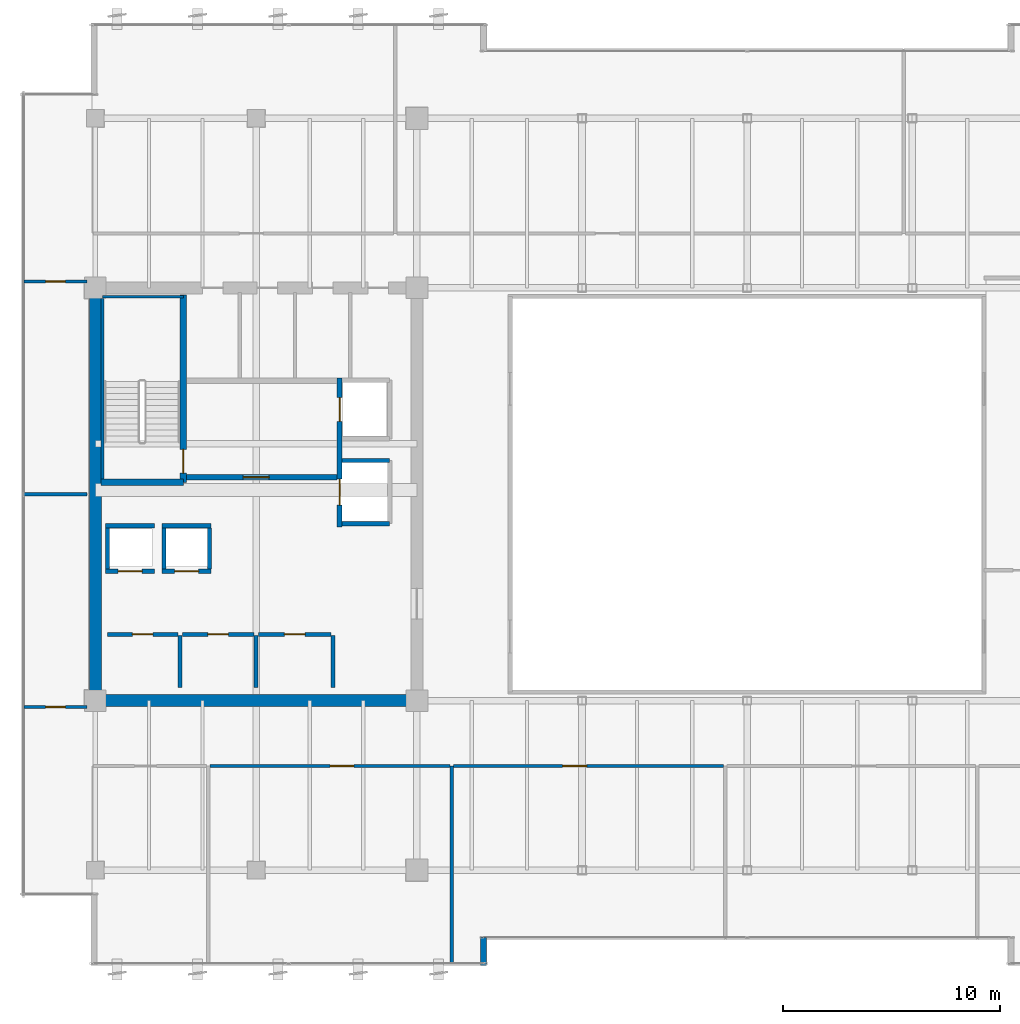
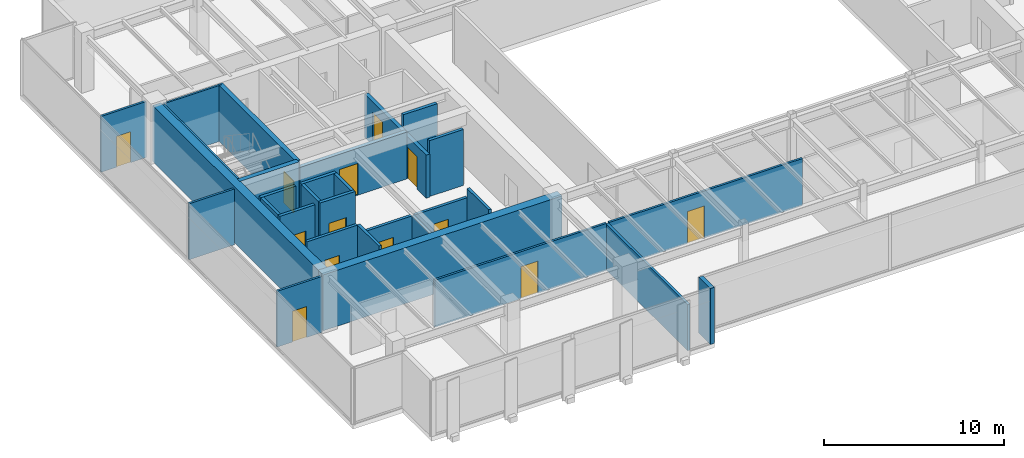
# One storey, part 28 of 36: 30 walls, 13 doors, 13 openings.
"""IFC4 building model written with IfcOpenShell, lengths in metres."""

from ifc_helpers import new_model, si_unit, direction, frame, frame_2d, origin, place, context, subcontext, project, spatial, rectangle, extrude, source, transform, mapped, material, layer, layer_set, type_object, type_shapes, element, fill, save


model = new_model("IFC4")

# Units and contexts
model_context = context("Model", 3, precision=1e-05, world=origin(), true_north=direction((0.0, 1.0)))
body_context = subcontext(model_context, "Body", "Model", "MODEL_VIEW")
ifc_project = project(units=[si_unit("LENGTHUNIT", "METRE"), si_unit("AREAUNIT", "SQUARE_METRE"), si_unit("VOLUMEUNIT", "CUBIC_METRE"), si_unit("PLANEANGLEUNIT", "RADIAN"), si_unit("MASSUNIT", "GRAM", prefix="KILO")], contexts=[model_context])

# Site, building, storey
site_placement = place(None, origin())
site = spatial("IfcSite", under=ifc_project, at=site_placement, CompositionType="ELEMENT")
building_placement = place(site_placement, origin())
building = spatial("IfcBuilding", under=site, at=building_placement, Name="Haelvirn Gate Laboratories", CompositionType="ELEMENT")
storey_placement = place(building_placement, frame((0.0, 0.0, 242.39990234375)))
storey = spatial("IfcBuildingStorey", under=building, at=storey_placement, Name="L58", CompositionType="ELEMENT", Elevation=242.39990234375)

# Walls
ifc_material_1 = material(Name="Thermally-broken bronze aluminium rainscreen & mineral wool", Category="aluminium")
ifc_layer_1 = layer(ifc_material_1, 0.280029296875, Name="EW-TERR-280")
ifc_layer_set_1 = layer_set([ifc_layer_1], Name="Thermally-broken bronze aluminium rainscreen & mineral wool")
wall_type_1 = type_object("IfcWallType", Name="EW-TERR-280", PredefinedType="STANDARD", material=ifc_layer_set_1)
wall_1_placement = place(storey_placement, frame((25.260009765625, 2.60009765625, 0.0), z_axis=(0.0, 0.0, 1.0), x_axis=(0.0, 1.0, 0.0)))
element("IfcWall", 1, at=wall_1_placement, inside=storey, type_object=wall_type_1, Name="L58 Atrium Recess Bronze Return Wall 01", PredefinedType="STANDARD", context=body_context, shape_type="SweptSolid", body=[
    extrude(rectangle(XDim=1.29296875, YDim=0.280029296875, at=frame_2d((0.646484375, 0.0))), origin(), (0.0, 0.0, 1.0), 3.800048828125),
])
ifc_material_2 = material(Name="Double-layer acoustic gypsum laboratory partition", Category="gypsum")
ifc_layer_2 = layer(ifc_material_2, 0.159912109375, Name="IW-ACOUST-160")
ifc_layer_set_2 = layer_set([ifc_layer_2], Name="Double-layer acoustic gypsum laboratory partition")
wall_type_2 = type_object("IfcWallType", Name="IW-ACOUST-160", PredefinedType="PARTITIONING", material=ifc_layer_set_2)
wall_2_placement = place(storey_placement, frame((23.800048828125, 2.7099609375, 0.0), z_axis=(0.0, 0.0, 1.0), x_axis=(0.0, 1.0, 0.0)))
element("IfcWall", 2, at=wall_2_placement, inside=storey, type_object=wall_type_2, Name="L58 Interior Wall IW-L58-SDIV-02", PredefinedType="PARTITIONING", context=body_context, shape_type="SweptSolid", body=[
    extrude(rectangle(XDim=9.080078125, YDim=0.159912109375, at=frame_2d((4.5400390625, 0.0))), origin(), (0.0, 0.0, 1.0), 3.135009765625),
])

# Wall, opening, door
ifc_material_3 = material(Name="Acoustic mineral-wool gypsum board partition", Category="gypsum")
ifc_layer_3 = layer(ifc_material_3, 0.139892578125, Name="IW-PART-140")
ifc_layer_set_3 = layer_set([ifc_layer_3], Name="Acoustic mineral-wool gypsum board partition")
wall_type_3 = type_object("IfcWallType", Name="IW-PART-140", PredefinedType="PARTITIONING", material=ifc_layer_set_3)
wall_3_placement = place(storey_placement, frame((12.679931640625, 11.7900390625, 0.0), z_axis=(0.0, 0.0, 1.0), x_axis=(1.0, 0.0, 0.0)))
wall_3 = element("IfcWall", 3, at=wall_3_placement, inside=storey, type_object=wall_type_3, Name="L58 Interior Wall IW-L58-SCORR-02", PredefinedType="PARTITIONING", context=body_context, shape_type="SweptSolid", body=[
    extrude(rectangle(XDim=11.0400390625, YDim=0.139892578125, at=frame_2d((5.52001953125, 0.0))), origin(), (0.0, 0.0, 1.0), 3.197021484375),
])
opening_1_placement = place(wall_3_placement, frame((5.5244140625, 0.0, 0.0)))
opening_1 = element("IfcOpeningElement", 4, at=opening_1_placement, cuts=wall_3, Name="Opening D1", PredefinedType="OPENING", context=body_context, shape_type="SweptSolid", body=[
    extrude(rectangle(XDim=1.10009765625, YDim=2.179931640625, at=frame_2d((0.550048828125, 1.08984375))), frame((0.0, 0.080078125, 0.0), z_axis=(0.0, -1.0, 0.0), x_axis=(1.0, 0.0, 0.0)), (0.0, 0.0, 1.0), 0.159912109375),
])
ifc_material_4 = material(Name="Vision-panel acoustic solid-core timber lab door", Category="wood")
door_type_1 = type_object("IfcDoorType", Name="DR-LAB-1100", OperationType="NOTDEFINED", PredefinedType="DOOR", material=ifc_material_4)
shared_shape_1 = source(origin(), body_context, "Body", "SweptSolid", [
    extrude(rectangle(XDim=1.10009765625, YDim=2.179931640625, at=frame_2d((0.550048828125, 1.08984375))), frame((0.0, 0.02490234375, 0.0), z_axis=(0.0, -1.0, 0.0), x_axis=(1.0, 0.0, 0.0)), (0.0, 0.0, 1.0), 0.050048828125),
])
type_shapes(door_type_1, [shared_shape_1])
door_1_placement = place(opening_1_placement, origin())
door_1 = element("IfcDoor", 5, at=door_1_placement, inside=storey, type_object=door_type_1, Name="L58 Translational Data Office Door S2", OperationType="SINGLE_SWING_RIGHT", OverallHeight=2.179931640625, OverallWidth=1.10009765625, PredefinedType="DOOR", context=body_context, shape_type="MappedRepresentation", body=[
    mapped(shared_shape_1, transform((0.0, 0.0, 0.0), scale=1.0)),
])
fill(opening_1, door_1)

wall_4_placement = place(storey_placement, frame((23.8798828125, 11.7900390625, 0.0), z_axis=(0.0, 0.0, 1.0), x_axis=(1.0, 0.0, 0.0)))
wall_4 = element("IfcWall", 6, at=wall_4_placement, inside=storey, type_object=wall_type_3, Name="L58 Interior Wall IW-L58-SCORR-03", PredefinedType="PARTITIONING", context=body_context, shape_type="SweptSolid", body=[
    extrude(rectangle(XDim=12.440185546875, YDim=0.139892578125, at=frame_2d((6.22021484375, 0.0))), origin(), (0.0, 0.0, 1.0), 3.197021484375),
])
opening_2_placement = place(wall_4_placement, frame((5.031494140625, 0.0, 0.0)))
opening_2 = element("IfcOpeningElement", 7, at=opening_2_placement, cuts=wall_4, Name="Opening D1", PredefinedType="OPENING", context=body_context, shape_type="SweptSolid", body=[
    extrude(rectangle(XDim=1.10009765625, YDim=2.179931640625, at=frame_2d((0.550048828125, 1.08984375))), frame((0.0, 0.080078125, 0.0), z_axis=(0.0, -1.0, 0.0), x_axis=(1.0, 0.0, 0.0)), (0.0, 0.0, 1.0), 0.159912109375),
])
door_2_placement = place(opening_2_placement, origin())
door_2 = element("IfcDoor", 8, at=door_2_placement, inside=storey, type_object=door_type_1, Name="L58 Peer-Review Seminar Room Door S3", OperationType="SINGLE_SWING_LEFT", OverallHeight=2.179931640625, OverallWidth=1.10009765625, PredefinedType="DOOR", context=body_context, shape_type="MappedRepresentation", body=[
    mapped(shared_shape_1, transform((0.0, 0.0, 0.0), scale=1.0)),
])
fill(opening_2, door_2)

# Wall
wall_5_placement = place(storey_placement, frame((4.110107421875, 24.300048828125, 0.0), z_axis=(0.0, 0.0, 1.0), x_axis=(1.0, 0.0, 0.0)))
element("IfcWall", 9, at=wall_5_placement, inside=storey, type_object=wall_type_3, Name="L58 Interior Wall IW-L58-WZ3-MID", PredefinedType="PARTITIONING", context=body_context, shape_type="SweptSolid", body=[
    extrude(rectangle(XDim=2.909912109375, YDim=0.139892578125, at=frame_2d((1.455078125, 0.0))), origin(), (0.0, 0.0, 1.0), 3.800048828125),
])

# Wall, opening, door
wall_6_placement = place(storey_placement, frame((4.110107421875, 14.5048828125, 0.0), z_axis=(0.0, 0.0, 1.0), x_axis=(1.0, 0.0, 0.0)))
wall_6 = element("IfcWall", 10, at=wall_6_placement, inside=storey, type_object=wall_type_3, Name="L58 Interior Wall IW-L58-WZ3-ENT-S", PredefinedType="PARTITIONING", context=body_context, shape_type="SweptSolid", body=[
    extrude(rectangle(XDim=2.909912109375, YDim=0.139892578125, at=frame_2d((1.455078125, 0.0))), origin(), (0.0, 0.0, 1.0), 3.800048828125),
])
opening_3_placement = place(wall_6_placement, frame((1.0048828125, 0.0, 0.0)))
opening_3 = element("IfcOpeningElement", 11, at=opening_3_placement, cuts=wall_6, Name="Opening D4", PredefinedType="OPENING", context=body_context, shape_type="SweptSolid", body=[
    extrude(rectangle(XDim=0.89990234375, YDim=2.10009765625, at=frame_2d((0.449951171875, 1.050048828125))), frame((0.0, 0.080078125, 0.0), z_axis=(0.0, -1.0, 0.0), x_axis=(1.0, 0.0, 0.0)), (0.0, 0.0, 1.0), 0.159912109375),
])
ifc_material_5 = material(Name="Glazed aluminium-framed write-up door", Category="aluminium")
door_type_2 = type_object("IfcDoorType", Name="DR-OFF-900", OperationType="NOTDEFINED", PredefinedType="DOOR", material=ifc_material_5)
shared_shape_2 = source(origin(), body_context, "Body", "SweptSolid", [
    extrude(rectangle(XDim=0.89990234375, YDim=2.10009765625, at=frame_2d((0.449951171875, 1.050048828125))), frame((0.0, 0.02490234375, 0.0), z_axis=(0.0, -1.0, 0.0), x_axis=(1.0, 0.0, 0.0)), (0.0, 0.0, 1.0), 0.050048828125),
])
type_shapes(door_type_2, [shared_shape_2])
door_3_placement = place(opening_3_placement, origin())
door_3 = element("IfcDoor", 12, at=door_3_placement, inside=storey, type_object=door_type_2, Name="L58 Analytical Instrument Suite Door W-S", OperationType="SINGLE_SWING_LEFT", OverallHeight=2.10009765625, OverallWidth=0.89990234375, PredefinedType="DOOR", context=body_context, shape_type="MappedRepresentation", body=[
    mapped(shared_shape_2, transform((0.0, 0.0, 0.0), scale=1.0)),
])
fill(opening_3, door_3)

wall_7_placement = place(storey_placement, frame((4.110107421875, 34.094970703125, 0.0), z_axis=(0.0, 0.0, 1.0), x_axis=(1.0, 0.0, 0.0)))
wall_7 = element("IfcWall", 13, at=wall_7_placement, inside=storey, type_object=wall_type_3, Name="L58 Interior Wall IW-L58-WZ3-ENT-N", PredefinedType="PARTITIONING", context=body_context, shape_type="SweptSolid", body=[
    extrude(rectangle(XDim=2.909912109375, YDim=0.139892578125, at=frame_2d((1.455078125, 0.0))), origin(), (0.0, 0.0, 1.0), 3.800048828125),
])
opening_4_placement = place(wall_7_placement, frame((1.0048828125, 0.0, 0.0)))
opening_4 = element("IfcOpeningElement", 14, at=opening_4_placement, cuts=wall_7, Name="Opening D4", PredefinedType="OPENING", context=body_context, shape_type="SweptSolid", body=[
    extrude(rectangle(XDim=0.89990234375, YDim=2.10009765625, at=frame_2d((0.449951171875, 1.050048828125))), frame((0.0, 0.080078125, 0.0), z_axis=(0.0, -1.0, 0.0), x_axis=(1.0, 0.0, 0.0)), (0.0, 0.0, 1.0), 0.159912109375),
])
door_4_placement = place(opening_4_placement, origin())
door_4 = element("IfcDoor", 15, at=door_4_placement, inside=storey, type_object=door_type_2, Name="L58 Floor Hydration & Tea Servery Door W-N", OperationType="SINGLE_SWING_RIGHT", OverallHeight=2.10009765625, OverallWidth=0.89990234375, PredefinedType="DOOR", context=body_context, shape_type="MappedRepresentation", body=[
    mapped(shared_shape_2, transform((0.0, 0.0, 0.0), scale=1.0)),
])
fill(opening_4, door_4)

# Walls
ifc_material_6 = material(Name="Concrete C40/50", Category="concrete")
ifc_layer_4 = layer(ifc_material_6, 0.179931640625, Name="IW-SHAFT-180")
ifc_layer_set_4 = layer_set([ifc_layer_4], Name="Concrete C40/50")
wall_type_4 = type_object("IfcWallType", Name="IW-SHAFT-180", PredefinedType="SOLIDWALL", material=ifc_layer_set_4)
for number, where, z_axis, x_axis, name in (
    (16, (7.949951171875, 20.85009765625, 0.0), (0.0, 0.0, 1.0), (0.0, 1.0, 0.0), "L58 Interior Wall IW-L58-PL9-SD"),
    (17, (10.550048828125, 20.85009765625, 0.0), (0.0, 0.0, 1.0), (0.0, 1.0, 0.0), "L58 Interior Wall IW-L58-PL10-SD"),
    (18, (12.64990234375, 20.85009765625, 0.0), (0.0, 0.0, 1.0), (0.0, 1.0, 0.0), "L58 Interior Wall IW-L58-PL10-SDE"),
):
    element("IfcWall", number, at=place(storey_placement, frame(where, z_axis=z_axis, x_axis=x_axis)), inside=storey, type_object=wall_type_4, Name=name, PredefinedType="SOLIDWALL", context=body_context, shape_type="SweptSolid", body=[
        extrude(rectangle(XDim=1.89990234375, YDim=0.179931640625, at=frame_2d((0.949951171875, 0.0))), origin(), (0.0, 0.0, 1.0), 3.800048828125),
    ])

# Wall, opening, door
wall_8_placement = place(storey_placement, frame((7.949951171875, 17.85009765625, 0.0), z_axis=(0.0, 0.0, 1.0), x_axis=(1.0, 0.0, 0.0)))
wall_8 = element("IfcWall", 19, at=wall_8_placement, inside=storey, type_object=wall_type_4, Name="L58 Interior Wall IW-L58-W-FREED-HN-1", PredefinedType="SOLIDWALL", context=body_context, shape_type="SweptSolid", body=[
    extrude(rectangle(XDim=3.25, YDim=0.179931640625, at=frame_2d((1.625, 0.0))), origin(), (0.0, 0.0, 1.0), 3.800048828125),
])
opening_5_placement = place(wall_8_placement, frame((1.14990234375, 0.0, 0.0)))
opening_5 = element("IfcOpeningElement", 20, at=opening_5_placement, cuts=wall_8, Name="Opening FD4", PredefinedType="OPENING", context=body_context, shape_type="SweptSolid", body=[
    extrude(rectangle(XDim=0.949951171875, YDim=2.14990234375, at=frame_2d((0.47509765625, 1.074951171875))), frame((0.0, 0.10009765625, 0.0), z_axis=(0.0, -1.0, 0.0), x_axis=(1.0, 0.0, 0.0)), (0.0, 0.0, 1.0), 0.199951171875),
])
ifc_material_7 = material(Name="Fire-rated steel SM355 core service door", Category="steel")
door_type_3 = type_object("IfcDoorType", Name="DR-FD-950", OperationType="NOTDEFINED", PredefinedType="DOOR", material=ifc_material_7)
shared_shape_3 = source(origin(), body_context, "Body", "SweptSolid", [
    extrude(rectangle(XDim=0.949951171875, YDim=2.14990234375, at=frame_2d((0.47509765625, 1.074951171875))), frame((0.0, 0.02490234375, 0.0), z_axis=(0.0, -1.0, 0.0), x_axis=(1.0, 0.0, 0.0)), (0.0, 0.0, 1.0), 0.050048828125),
])
type_shapes(door_type_3, [shared_shape_3])
door_5_placement = place(opening_5_placement, origin())
door_5 = element("IfcDoor", 21, at=door_5_placement, inside=storey, type_object=door_type_3, Name="L58 Autoclave Bio-Prep Room Door", OperationType="SINGLE_SWING_LEFT", OverallHeight=2.14990234375, OverallWidth=0.949951171875, PredefinedType="DOOR", context=body_context, shape_type="MappedRepresentation", body=[
    mapped(shared_shape_3, transform((0.0, 0.0, 0.0), scale=1.0)),
])
fill(opening_5, door_5)

# Wall
wall_9_placement = place(storey_placement, frame((11.2900390625, 15.39990234375, 0.0), z_axis=(0.0, 0.0, 1.0), x_axis=(0.0, 1.0, 0.0)))
element("IfcWall", 22, at=wall_9_placement, inside=storey, type_object=wall_type_4, Name="L58 Interior Wall IW-L58-W-FREED-HE-1", PredefinedType="SOLIDWALL", context=body_context, shape_type="SweptSolid", body=[
    extrude(rectangle(XDim=2.400146484375, YDim=0.179931640625, at=frame_2d((1.2001953125, 0.0))), origin(), (0.0, 0.0, 1.0), 3.800048828125),
])

# Wall, opening, door
wall_10_placement = place(storey_placement, frame((11.39990234375, 17.85009765625, 0.0), z_axis=(0.0, 0.0, 1.0), x_axis=(1.0, 0.0, 0.0)))
wall_10 = element("IfcWall", 23, at=wall_10_placement, inside=storey, type_object=wall_type_4, Name="L58 Interior Wall IW-L58-W-FREED-HN-2", PredefinedType="SOLIDWALL", context=body_context, shape_type="SweptSolid", body=[
    extrude(rectangle(XDim=3.300048828125, YDim=0.179931640625, at=frame_2d((1.64990234375, 0.0))), origin(), (0.0, 0.0, 1.0), 3.197021484375),
])
opening_6_placement = place(wall_10_placement, frame((1.175048828125, 0.0, 0.0)))
opening_6 = element("IfcOpeningElement", 24, at=opening_6_placement, cuts=wall_10, Name="Opening FD4", PredefinedType="OPENING", context=body_context, shape_type="SweptSolid", body=[
    extrude(rectangle(XDim=0.949951171875, YDim=2.14990234375, at=frame_2d((0.47509765625, 1.074951171875))), frame((0.0, 0.10009765625, 0.0), z_axis=(0.0, -1.0, 0.0), x_axis=(1.0, 0.0, 0.0)), (0.0, 0.0, 1.0), 0.199951171875),
])
door_6_placement = place(opening_6_placement, origin())
door_6 = element("IfcDoor", 25, at=door_6_placement, inside=storey, type_object=door_type_3, Name="L58 Telemetry Analytics Room Door", OperationType="SINGLE_SWING_RIGHT", OverallHeight=2.14990234375, OverallWidth=0.949951171875, PredefinedType="DOOR", context=body_context, shape_type="MappedRepresentation", body=[
    mapped(shared_shape_3, transform((0.0, 0.0, 0.0), scale=1.0)),
])
fill(opening_6, door_6)

# Wall
wall_11_placement = place(storey_placement, frame((14.7900390625, 15.39990234375, 0.0), z_axis=(0.0, 0.0, 1.0), x_axis=(0.0, 1.0, 0.0)))
element("IfcWall", 26, at=wall_11_placement, inside=storey, type_object=wall_type_4, Name="L58 Interior Wall IW-L58-W-FREED-HE-2", PredefinedType="SOLIDWALL", context=body_context, shape_type="SweptSolid", body=[
    extrude(rectangle(XDim=2.400146484375, YDim=0.179931640625, at=frame_2d((1.2001953125, 0.0))), origin(), (0.0, 0.0, 1.0), 3.197021484375),
])

# Wall, opening, door
wall_12_placement = place(storey_placement, frame((14.89990234375, 17.85009765625, 0.0), z_axis=(0.0, 0.0, 1.0), x_axis=(1.0, 0.0, 0.0)))
wall_12 = element("IfcWall", 27, at=wall_12_placement, inside=storey, type_object=wall_type_4, Name="L58 Interior Wall IW-L58-W-FREED-HN-3", PredefinedType="SOLIDWALL", context=body_context, shape_type="SweptSolid", body=[
    extrude(rectangle(XDim=3.35009765625, YDim=0.179931640625, at=frame_2d((1.675048828125, 0.0))), origin(), (0.0, 0.0, 1.0), 3.197021484375),
])
opening_7_placement = place(wall_12_placement, frame((1.199951171875, 0.0, 0.0)))
opening_7 = element("IfcOpeningElement", 28, at=opening_7_placement, cuts=wall_12, Name="Opening FD4", PredefinedType="OPENING", context=body_context, shape_type="SweptSolid", body=[
    extrude(rectangle(XDim=0.949951171875, YDim=2.14990234375, at=frame_2d((0.47509765625, 1.074951171875))), frame((0.0, 0.10009765625, 0.0), z_axis=(0.0, -1.0, 0.0), x_axis=(1.0, 0.0, 0.0)), (0.0, 0.0, 1.0), 0.199951171875),
])
door_7_placement = place(opening_7_placement, origin())
door_7 = element("IfcDoor", 29, at=door_7_placement, inside=storey, type_object=door_type_3, Name="L58 Calibration Metrology Room Door", OperationType="SINGLE_SWING_LEFT", OverallHeight=2.14990234375, OverallWidth=0.949951171875, PredefinedType="DOOR", context=body_context, shape_type="MappedRepresentation", body=[
    mapped(shared_shape_3, transform((0.0, 0.0, 0.0), scale=1.0)),
])
fill(opening_7, door_7)

# Wall
wall_13_placement = place(storey_placement, frame((18.340087890625, 15.39990234375, 0.0), z_axis=(0.0, 0.0, 1.0), x_axis=(0.0, 1.0, 0.0)))
element("IfcWall", 30, at=wall_13_placement, inside=storey, type_object=wall_type_4, Name="L58 Interior Wall IW-L58-W-FREED-HE-3", PredefinedType="SOLIDWALL", context=body_context, shape_type="SweptSolid", body=[
    extrude(rectangle(XDim=2.400146484375, YDim=0.179931640625, at=frame_2d((1.2001953125, 0.0))), origin(), (0.0, 0.0, 1.0), 3.800048828125),
])

# Wall, opening, door
ifc_layer_5 = layer(ifc_material_6, 0.199951171875, Name="IW-SHAFT-200")
ifc_layer_set_5 = layer_set([ifc_layer_5], Name="Concrete C40/50")
wall_type_5 = type_object("IfcWallType", Name="IW-SHAFT-200", PredefinedType="SOLIDWALL", material=ifc_layer_set_5)
wall_14_placement = place(storey_placement, frame((7.8701171875, 20.75, 0.0), z_axis=(0.0, 0.0, 1.0), x_axis=(1.0, 0.0, 0.0)))
wall_14 = element("IfcWall", 31, at=wall_14_placement, inside=storey, type_object=wall_type_5, Name="L58 Interior Wall IW-L58-PL9-FR", PredefinedType="SOLIDWALL", context=body_context, shape_type="SweptSolid", body=[
    extrude(rectangle(XDim=2.259765625, YDim=0.199951171875, at=frame_2d((1.1298828125, 0.0))), origin(), (0.0, 0.0, 1.0), 3.800048828125),
])
opening_8_placement = place(wall_14_placement, frame((0.580078125, 0.0, 0.0)))
opening_8 = element("IfcOpeningElement", 32, at=opening_8_placement, cuts=wall_14, Name="Opening LD2", PredefinedType="OPENING", context=body_context, shape_type="SweptSolid", body=[
    extrude(rectangle(XDim=1.10009765625, YDim=2.219970703125, at=frame_2d((0.550048828125, 1.10986328125))), frame((0.0, 0.10986328125, 0.0), z_axis=(0.0, -1.0, 0.0), x_axis=(1.0, 0.0, 0.0)), (0.0, 0.0, 1.0), 0.219970703125),
])
ifc_material_8 = material(Name="Bronze stainless 316L sliding lift landing door")
door_type_4 = type_object("IfcDoorType", Name="DR-LD-1100", OperationType="NOTDEFINED", PredefinedType="USERDEFINED", material=ifc_material_8)
shared_shape_4 = source(origin(), body_context, "Body", "SweptSolid", [
    extrude(rectangle(XDim=1.10009765625, YDim=2.219970703125, at=frame_2d((0.550048828125, 1.10986328125))), frame((0.0, 0.02490234375, 0.0), z_axis=(0.0, -1.0, 0.0), x_axis=(1.0, 0.0, 0.0)), (0.0, 0.0, 1.0), 0.050048828125),
])
type_shapes(door_type_4, [shared_shape_4])
door_8_placement = place(opening_8_placement, origin())
door_8 = element("IfcDoor", 33, at=door_8_placement, inside=storey, type_object=door_type_4, Name="L58 Passenger Lift PL9 Landing Door", ObjectType="LANDING_DOOR", OperationType="SLIDING_TO_LEFT", OverallHeight=2.219970703125, OverallWidth=1.10009765625, PredefinedType="USERDEFINED", context=body_context, shape_type="MappedRepresentation", body=[
    mapped(shared_shape_4, transform((0.0, 0.0, 0.0), scale=1.0)),
])
fill(opening_8, door_8)

# Wall
wall_15_placement = place(storey_placement, frame((7.8701171875, 22.85009765625, 0.0), z_axis=(0.0, 0.0, 1.0), x_axis=(1.0, 0.0, 0.0)))
element("IfcWall", 34, at=wall_15_placement, inside=storey, type_object=wall_type_5, Name="L58 Interior Wall IW-L58-PL9-BK", PredefinedType="SOLIDWALL", context=body_context, shape_type="SweptSolid", body=[
    extrude(rectangle(XDim=2.259765625, YDim=0.199951171875, at=frame_2d((1.1298828125, 0.0))), origin(), (0.0, 0.0, 1.0), 3.800048828125),
])

# Wall, opening, door
wall_16_placement = place(storey_placement, frame((10.469970703125, 20.75, 0.0), z_axis=(0.0, 0.0, 1.0), x_axis=(1.0, 0.0, 0.0)))
wall_16 = element("IfcWall", 35, at=wall_16_placement, inside=storey, type_object=wall_type_5, Name="L58 Interior Wall IW-L58-PL10-FR", PredefinedType="SOLIDWALL", context=body_context, shape_type="SweptSolid", body=[
    extrude(rectangle(XDim=2.260009765625, YDim=0.199951171875, at=frame_2d((1.1298828125, 0.0))), origin(), (0.0, 0.0, 1.0), 3.800048828125),
])
opening_9_placement = place(wall_16_placement, frame((0.580078125, 0.0, 0.0)))
opening_9 = element("IfcOpeningElement", 36, at=opening_9_placement, cuts=wall_16, Name="Opening LD2", PredefinedType="OPENING", context=body_context, shape_type="SweptSolid", body=[
    extrude(rectangle(XDim=1.10009765625, YDim=2.219970703125, at=frame_2d((0.550048828125, 1.10986328125))), frame((0.0, 0.10986328125, 0.0), z_axis=(0.0, -1.0, 0.0), x_axis=(1.0, 0.0, 0.0)), (0.0, 0.0, 1.0), 0.219970703125),
])
door_9_placement = place(opening_9_placement, origin())
door_9 = element("IfcDoor", 37, at=door_9_placement, inside=storey, type_object=door_type_4, Name="L58 Passenger Lift PL10 Landing Door", ObjectType="LANDING_DOOR", OperationType="SLIDING_TO_RIGHT", OverallHeight=2.219970703125, OverallWidth=1.10009765625, PredefinedType="USERDEFINED", context=body_context, shape_type="MappedRepresentation", body=[
    mapped(shared_shape_4, transform((0.0, 0.0, 0.0), scale=1.0)),
])
fill(opening_9, door_9)

# Walls
wall_17_placement = place(storey_placement, frame((10.469970703125, 22.85009765625, 0.0), z_axis=(0.0, 0.0, 1.0), x_axis=(1.0, 0.0, 0.0)))
element("IfcWall", 38, at=wall_17_placement, inside=storey, type_object=wall_type_5, Name="L58 Interior Wall IW-L58-PL10-BK", PredefinedType="SOLIDWALL", context=body_context, shape_type="SweptSolid", body=[
    extrude(rectangle(XDim=2.260009765625, YDim=0.199951171875, at=frame_2d((1.1298828125, 0.0))), origin(), (0.0, 0.0, 1.0), 3.800048828125),
])
for number, where, z_axis, x_axis, name in (
    (39, (18.760009765625, 25.85009765625, 0.0), (0.0, 0.0, 1.0), (1.0, 0.0, 0.0), "L58 Interior Wall IW-L58-SL1-N"),
    (40, (18.760009765625, 22.949951171875, 0.0), (0.0, 0.0, 1.0), (1.0, 0.0, 0.0), "L58 Interior Wall IW-L58-SL1-S"),
):
    element("IfcWall", number, at=place(storey_placement, frame(where, z_axis=z_axis, x_axis=x_axis)), inside=storey, type_object=wall_type_5, Name=name, PredefinedType="SOLIDWALL", context=body_context, shape_type="SweptSolid", body=[
        extrude(rectangle(XDim=2.18994140625, YDim=0.199951171875, at=frame_2d((1.094970703125, 0.0))), origin(), (0.0, 0.0, 1.0), 3.800048828125),
    ])

# Wall, opening, door
ifc_layer_6 = layer(ifc_material_6, 0.239990234375, Name="IW-SHAFT-240")
ifc_layer_set_6 = layer_set([ifc_layer_6], Name="Concrete C40/50")
wall_type_6 = type_object("IfcWallType", Name="IW-SHAFT-240", PredefinedType="SOLIDWALL", material=ifc_layer_set_6)
wall_18_placement = place(storey_placement, frame((11.60009765625, 25.080078125, 0.0), z_axis=(0.0, 0.0, 1.0), x_axis=(1.0, 0.0, 0.0)))
wall_18 = element("IfcWall", 41, at=wall_18_placement, inside=storey, type_object=wall_type_6, Name="L58 Interior Wall IW-L58-W-FF-S", PredefinedType="SOLIDWALL", context=body_context, shape_type="SweptSolid", body=[
    extrude(rectangle(XDim=6.919921875, YDim=0.239990234375, at=frame_2d((3.4599609375, 0.0))), origin(), (0.0, 0.0, 1.0), 3.197021484375),
])
opening_10_placement = place(wall_18_placement, frame((2.60009765625, 0.0, 0.0)))
opening_10 = element("IfcOpeningElement", 42, at=opening_10_placement, cuts=wall_18, Name="Opening FD2", PredefinedType="OPENING", context=body_context, shape_type="SweptSolid", body=[
    extrude(rectangle(XDim=1.199951171875, YDim=2.159912109375, at=frame_2d((0.60009765625, 1.080078125))), frame((0.0, 0.1298828125, 0.0), z_axis=(0.0, -1.0, 0.0), x_axis=(1.0, 0.0, 0.0)), (0.0, 0.0, 1.0), 0.260009765625),
])
ifc_material_9 = material(Name="Fire-rated steel SM355 compartment door", Category="steel")
door_type_5 = type_object("IfcDoorType", Name="DR-FD-1200", OperationType="NOTDEFINED", PredefinedType="DOOR", material=ifc_material_9)
shared_shape_5 = source(origin(), body_context, "Body", "SweptSolid", [
    extrude(rectangle(XDim=1.199951171875, YDim=2.159912109375, at=frame_2d((0.60009765625, 1.080078125))), frame((0.0, 0.02490234375, 0.0), z_axis=(0.0, -1.0, 0.0), x_axis=(1.0, 0.0, 0.0)), (0.0, 0.0, 1.0), 0.050048828125),
])
type_shapes(door_type_5, [shared_shape_5])
door_10_placement = place(opening_10_placement, origin())
door_10 = element("IfcDoor", 43, at=door_10_placement, inside=storey, type_object=door_type_5, Name="L58 West Firefighting Lobby Door", OperationType="SINGLE_SWING_RIGHT", OverallHeight=2.159912109375, OverallWidth=1.199951171875, PredefinedType="DOOR", context=body_context, shape_type="MappedRepresentation", body=[
    mapped(shared_shape_5, transform((0.0, 0.0, 0.0), scale=1.0)),
])
fill(opening_10, door_10)

# Wall, openings, doors
wall_19_placement = place(storey_placement, frame((18.639892578125, 22.800048828125, 0.0), z_axis=(0.0, 0.0, 1.0), x_axis=(0.0, 1.0, 0.0)))
wall_19 = element("IfcWall", 44, at=wall_19_placement, inside=storey, type_object=wall_type_6, Name="L58 Interior Wall IW-L58-W-FF-E", PredefinedType="SOLIDWALL", context=body_context, shape_type="SweptSolid", body=[
    extrude(rectangle(XDim=6.849853515625, YDim=0.239990234375, at=frame_2d((3.4248046875, 0.0))), origin(), (0.0, 0.0, 1.0), 2.93505859375),
])
opening_11_placement = place(wall_19_placement, frame((4.85009765625, 0.0, 0.0)))
opening_11 = element("IfcOpeningElement", 45, at=opening_11_placement, cuts=wall_19, Name="Opening LD2", PredefinedType="OPENING", context=body_context, shape_type="SweptSolid", body=[
    extrude(rectangle(XDim=1.10009765625, YDim=2.219970703125, at=frame_2d((0.550048828125, 1.10986328125))), frame((0.0, 0.1298828125, 0.0), z_axis=(0.0, -1.0, 0.0), x_axis=(1.0, 0.0, 0.0)), (0.0, 0.0, 1.0), 0.260009765625),
])
opening_12_placement = place(wall_19_placement, frame((1.0, 0.0, 0.0)))
opening_12 = element("IfcOpeningElement", 46, at=opening_12_placement, cuts=wall_19, Name="Opening LD1", PredefinedType="OPENING", context=body_context, shape_type="SweptSolid", body=[
    extrude(rectangle(XDim=1.199951171875, YDim=2.219970703125, at=frame_2d((0.60009765625, 1.10986328125))), frame((0.0, 0.1298828125, 0.0), z_axis=(0.0, -1.0, 0.0), x_axis=(1.0, 0.0, 0.0)), (0.0, 0.0, 1.0), 0.260009765625),
])
door_11_placement = place(opening_11_placement, origin())
door_11 = element("IfcDoor", 47, at=door_11_placement, inside=storey, type_object=door_type_4, Name="L58 Firefighting Lift FL1 Landing Door", ObjectType="LANDING_DOOR", OperationType="SLIDING_TO_LEFT", OverallHeight=2.219970703125, OverallWidth=1.10009765625, PredefinedType="USERDEFINED", context=body_context, shape_type="MappedRepresentation", body=[
    mapped(shared_shape_4, transform((0.0, 0.0, 0.0), scale=1.0)),
])
fill(opening_11, door_11)
ifc_material_10 = material(Name="Stainless steel 316L sliding goods landing door", Category="steel")
door_type_6 = type_object("IfcDoorType", Name="DR-LD-1200", OperationType="NOTDEFINED", PredefinedType="USERDEFINED", material=ifc_material_10)
shared_shape_6 = source(origin(), body_context, "Body", "SweptSolid", [
    extrude(rectangle(XDim=1.199951171875, YDim=2.219970703125, at=frame_2d((0.60009765625, 1.10986328125))), frame((0.0, 0.02490234375, 0.0), z_axis=(0.0, -1.0, 0.0), x_axis=(1.0, 0.0, 0.0)), (0.0, 0.0, 1.0), 0.050048828125),
])
type_shapes(door_type_6, [shared_shape_6])
door_12_placement = place(opening_12_placement, origin())
door_12 = element("IfcDoor", 48, at=door_12_placement, inside=storey, type_object=door_type_6, Name="L58 Service Lift SL1 Landing Door", ObjectType="LANDING_DOOR", OperationType="SLIDING_TO_RIGHT", OverallHeight=2.219970703125, OverallWidth=1.199951171875, PredefinedType="USERDEFINED", context=body_context, shape_type="MappedRepresentation", body=[
    mapped(shared_shape_6, transform((0.0, 0.0, 0.0), scale=1.0)),
])
fill(opening_12, door_12)

# Walls
ifc_material_11 = material(Name="Concrete C50/60", Category="concrete")
ifc_layer_7 = layer(ifc_material_11, 0.550048828125, Name="SW-CORE-550")
ifc_layer_set_7 = layer_set([ifc_layer_7], Name="Concrete C50/60")
wall_type_7 = type_object("IfcWallType", Name="SW-CORE-550", PredefinedType="SHEAR", material=ifc_layer_set_7)
wall_20_placement = place(storey_placement, frame((7.125, 14.800048828125, 0.0), z_axis=(0.0, 0.0, 1.0), x_axis=(1.0, 0.0, 0.0)))
element("IfcWall", 49, at=wall_20_placement, inside=storey, type_object=wall_type_7, Name="L58 W Core Shear Wall S", PredefinedType="SHEAR", context=body_context, shape_type="SweptSolid", body=[
    extrude(rectangle(XDim=15.35009765625, YDim=0.550048828125, at=frame_2d((7.675048828125, 0.0))), origin(), (0.0, 0.0, 1.0), 3.800048828125),
])
wall_21_placement = place(storey_placement, frame((7.39990234375, 15.074951171875, 0.0), z_axis=(0.0, 0.0, 1.0), x_axis=(0.0, 1.0, 0.0)))
element("IfcWall", 50, at=wall_21_placement, inside=storey, type_object=wall_type_7, Name="L58 W Core Shear Wall W", PredefinedType="SHEAR", context=body_context, shape_type="SweptSolid", body=[
    extrude(rectangle(XDim=18.449951171875, YDim=0.550048828125, at=frame_2d((9.22509765625, 0.0))), origin(), (0.0, 0.0, 1.0), 3.800048828125),
])
ifc_layer_8 = layer(ifc_material_11, 0.1201171875, Name="SW-LINER-120")
ifc_layer_set_8 = layer_set([ifc_layer_8], Name="Concrete C50/60")
wall_type_8 = type_object("IfcWallType", Name="SW-LINER-120", PredefinedType="SOLIDWALL", material=ifc_layer_set_8)
wall_22_placement = place(storey_placement, frame((7.72998046875, 33.39990234375, 0.0), z_axis=(0.0, 0.0, 1.0), x_axis=(1.0, 0.0, 0.0)))
element("IfcWall", 51, at=wall_22_placement, inside=storey, type_object=wall_type_8, Name="L58 W Core Stair Shaft Liner Wall N", PredefinedType="SOLIDWALL", context=body_context, shape_type="SweptSolid", body=[
    extrude(rectangle(XDim=3.719970703125, YDim=0.1201171875, at=frame_2d((1.85986328125, 0.0))), origin(), (0.0, 0.0, 1.0), 3.800048828125),
])
wall_23_placement = place(storey_placement, frame((7.72998046875, 25.0, 0.0), z_axis=(0.0, 0.0, 1.0), x_axis=(0.0, 1.0, 0.0)))
element("IfcWall", 52, at=wall_23_placement, inside=storey, type_object=wall_type_8, Name="L58 W Core Stair Shaft Liner Wall OUT", PredefinedType="SOLIDWALL", context=body_context, shape_type="SweptSolid", body=[
    extrude(rectangle(XDim=8.320068359375, YDim=0.1201171875, at=frame_2d((4.16015625, 0.0))), origin(), (0.0, 0.0, 1.0), 3.800048828125),
])

# Wall, opening, door
ifc_layer_9 = layer(ifc_material_11, 0.300048828125, Name="SW-STAIR-300")
ifc_layer_set_9 = layer_set([ifc_layer_9], Name="Concrete C50/60")
wall_type_9 = type_object("IfcWallType", Name="SW-STAIR-300", PredefinedType="SHEAR", material=ifc_layer_set_9)
wall_24_placement = place(storey_placement, frame((11.449951171875, 24.85009765625, 0.0), z_axis=(0.0, 0.0, 1.0), x_axis=(0.0, 1.0, 0.0)))
wall_24 = element("IfcWall", 53, at=wall_24_placement, inside=storey, type_object=wall_type_9, Name="L58 W Core Stair Shaft Structural Wall IN", PredefinedType="SHEAR", context=body_context, shape_type="SweptSolid", body=[
    extrude(rectangle(XDim=8.6298828125, YDim=0.300048828125, at=frame_2d((4.31494140625, 0.0))), origin(), (0.0, 0.0, 1.0), 3.800048828125),
])
opening_13_placement = place(wall_24_placement, frame((0.419921875, 0.0, 0.0)))
opening_13 = element("IfcOpeningElement", 54, at=opening_13_placement, cuts=wall_24, Name="Opening FD3", PredefinedType="OPENING", context=body_context, shape_type="SweptSolid", body=[
    extrude(rectangle(XDim=1.10009765625, YDim=2.14990234375, at=frame_2d((0.550048828125, 1.074951171875))), frame((0.0, 0.16015625, 0.0), z_axis=(0.0, -1.0, 0.0), x_axis=(1.0, 0.0, 0.0)), (0.0, 0.0, 1.0), 0.320068359375),
])
ifc_material_12 = material(Name="Fire-rated steel SM355 escape stair door", Category="steel")
door_type_7 = type_object("IfcDoorType", Name="DR-FD-1100", OperationType="NOTDEFINED", PredefinedType="DOOR", material=ifc_material_12)
shared_shape_7 = source(origin(), body_context, "Body", "SweptSolid", [
    extrude(rectangle(XDim=1.10009765625, YDim=2.14990234375, at=frame_2d((0.550048828125, 1.074951171875))), frame((0.0, 0.02490234375, 0.0), z_axis=(0.0, -1.0, 0.0), x_axis=(1.0, 0.0, 0.0)), (0.0, 0.0, 1.0), 0.050048828125),
])
type_shapes(door_type_7, [shared_shape_7])
door_13_placement = place(opening_13_placement, origin())
door_13 = element("IfcDoor", 55, at=door_13_placement, inside=storey, type_object=door_type_7, Name="L58 Escape Stair ST1 Fire Door", OperationType="SINGLE_SWING_LEFT", OverallHeight=2.14990234375, OverallWidth=1.10009765625, PredefinedType="DOOR", context=body_context, shape_type="MappedRepresentation", body=[
    mapped(shared_shape_7, transform((0.0, 0.0, 0.0), scale=1.0)),
])
fill(opening_13, door_13)

# Wall
wall_25_placement = place(storey_placement, frame((7.64990234375, 24.85009765625, 0.0), z_axis=(0.0, 0.0, 1.0), x_axis=(1.0, 0.0, 0.0)))
element("IfcWall", 56, at=wall_25_placement, inside=storey, type_object=wall_type_9, Name="L58 W Core Stair Shaft Structural Wall S", PredefinedType="SHEAR", context=body_context, shape_type="SweptSolid", body=[
    extrude(rectangle(XDim=3.800048828125, YDim=0.300048828125, at=frame_2d((1.89990234375, 0.0))), origin(), (0.0, 0.0, 1.0), 3.800048828125),
])

save(model, "model.ifc")
